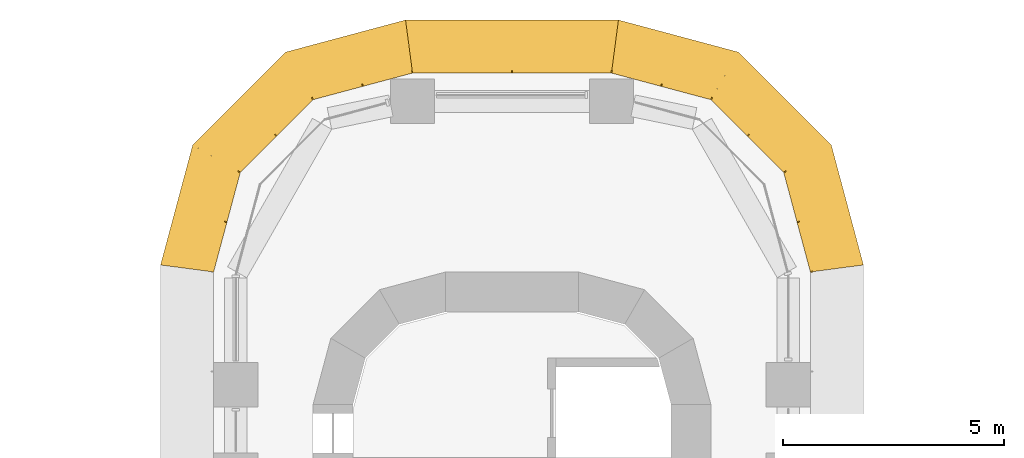
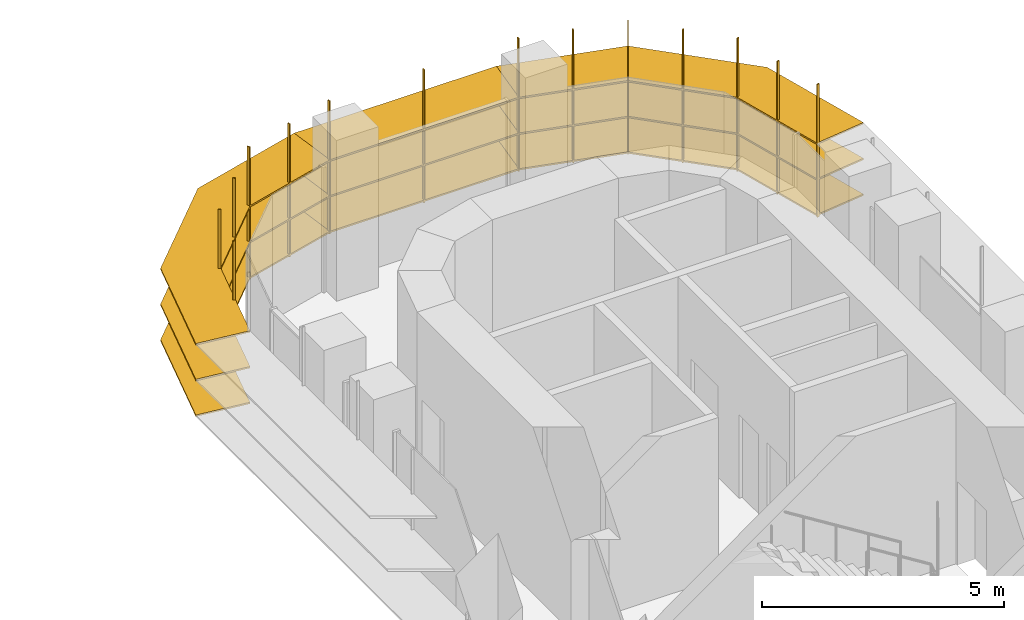
# One storey, part 23 of 23: 3 shading devices.
"""IFC4 building model written with IfcOpenShell, lengths in metres."""

from ifc_helpers import new_model, si_unit, direction, frame, origin, place, context, subcontext, project, spatial, polyline, outline, extrude, faceted_brep, source, transform, mapped, material, type_object, element, save


model = new_model("IFC4")

# Units and contexts
model_context = context("Model", 3, precision=1e-05, world=origin(), true_north=direction((0.0, 1.0)))
body_context = subcontext(model_context, "Body", "Model", "MODEL_VIEW")
ifc_project = project(units=[si_unit("LENGTHUNIT", "METRE"), si_unit("AREAUNIT", "SQUARE_METRE"), si_unit("VOLUMEUNIT", "CUBIC_METRE"), si_unit("PLANEANGLEUNIT", "RADIAN"), si_unit("MASSUNIT", "GRAM", prefix="KILO")], contexts=[model_context])

# Site, building, storey
site_placement = place(None, origin())
site = spatial("IfcSite", under=ifc_project, at=site_placement, CompositionType="ELEMENT")
building_placement = place(site_placement, origin())
building = spatial("IfcBuilding", under=site, at=building_placement, Name="Zarbagh Exchange Tower", CompositionType="ELEMENT")
storey_placement = place(building_placement, frame((0.0, 0.0, 69.0)))
storey = spatial("IfcBuildingStorey", under=building, at=storey_placement, Name="L15", CompositionType="ELEMENT", Elevation=69.0)

# Shading devices
ifc_material = material(Name="Anodised aluminium blades and brackets", Category="aluminium")
shading_device_type = type_object("IfcShadingDeviceType", Name="SUNSHADE louvre band, 0 degree blades", PredefinedType="JALOUSIE", material=ifc_material)
shared_shape_1 = source(origin(), body_context, "Body", "Brep", [
    faceted_brep([(0.0, 0.0, 0.0), (0.0, 0.0, -0.0400390625), (-0.157958984375, -1.199951171875, -0.0400390625), (-0.157958984375, -1.199951171875, 0.0), (2.65087890625, -1.199951171875, 0.0), (2.65087890625, -1.199951171875, -0.0400390625), (2.329345703125, 0.0, -0.0400390625), (2.329345703125, 0.0, 0.0)], [[[0, 1, 2, 3]], [[4, 5, 6, 7]], [[0, 7, 6, 1]], [[1, 6, 5, 2]], [[2, 5, 4, 3]], [[3, 4, 7, 0]]]),
])
shared_shape_2 = source(origin(), body_context, "Body", "Brep", [
    faceted_brep([(0.0, 0.0, 0.0), (0.0, 0.0, -0.0400390625), (-0.321533203125, -1.199951171875, -0.0400390625), (-0.321533203125, -1.199951171875, 0.0), (2.65087890625, -1.199951171875, 0.0), (2.65087890625, -1.199951171875, -0.0400390625), (2.329345703125, 0.0, -0.0400390625), (2.329345703125, 0.0, 0.0)], [[[0, 1, 2, 3]], [[4, 5, 6, 7]], [[0, 7, 6, 1]], [[1, 6, 5, 2]], [[2, 5, 4, 3]], [[3, 4, 7, 0]]]),
])
shared_shape_3 = source(origin(), body_context, "Body", "Brep", [
    faceted_brep([(0.0, 0.0, 0.0), (0.0, 0.0, -0.0400390625), (-0.321533203125, -1.199951171875, -0.0400390625), (-0.321533203125, -1.199951171875, 0.0), (2.4873046875, -1.199951171875, 0.0), (2.4873046875, -1.199951171875, -0.0400390625), (2.329345703125, 0.0, -0.0400390625), (2.329345703125, 0.0, 0.0)], [[[0, 1, 2, 3]], [[4, 5, 6, 7]], [[0, 7, 6, 1]], [[1, 6, 5, 2]], [[2, 5, 4, 3]], [[3, 4, 7, 0]]]),
])
shared_shape_4 = source(origin(), body_context, "Body", "SweptSolid", [
    extrude(outline(polyline([(0.0, -0.012451171875), (0.06005859375, -0.012451171875), (0.06005859375, 0.012451171875), (0.0, 0.012451171875), (0.0, -0.012451171875)])), origin(), (0.0, 0.0, 1.0), 3.35009765625),
])
placement = place(storey_placement, origin())
element("IfcShadingDevice", 1, at=placement, inside=storey, type_object=shading_device_type, Name="SS11 sunshade band", PredefinedType="JALOUSIE", context=body_context, shape_type="MappedRepresentation", body=[
    mapped(shared_shape_1, transform((6.75, 29.25, 2.699951171875), x_axis=(-0.258824779902, 0.965924289636, 0.0), y_axis=(-0.965924289636, -0.258824779902, 0.0), z_axis=(0.0, 0.0, 1.0))),
    mapped(shared_shape_1, transform((6.75, 29.25, 1.800048828125), x_axis=(-0.258824779902, 0.965924289636, 0.0), y_axis=(-0.965924289636, -0.258824779902, 0.0), z_axis=(0.0, 0.0, 1.0))),
    mapped(shared_shape_1, transform((6.75, 29.25, 0.89990234375), x_axis=(-0.258824779902, 0.965924289636, 0.0), y_axis=(-0.965924289636, -0.258824779902, 0.0), z_axis=(0.0, 0.0, 1.0))),
    mapped(shared_shape_2, transform((6.147216796875, 31.5, 2.699951171875), x_axis=(-0.707106781187, 0.707106781187, 0.0), y_axis=(-0.707106781187, -0.707106781187, 0.0), z_axis=(0.0, 0.0, 1.0))),
    mapped(shared_shape_2, transform((6.147216796875, 31.5, 1.800048828125), x_axis=(-0.707106781187, 0.707106781187, 0.0), y_axis=(-0.707106781187, -0.707106781187, 0.0), z_axis=(0.0, 0.0, 1.0))),
    mapped(shared_shape_2, transform((6.147216796875, 31.5, 0.89990234375), x_axis=(-0.707106781187, 0.707106781187, 0.0), y_axis=(-0.707106781187, -0.707106781187, 0.0), z_axis=(0.0, 0.0, 1.0))),
    mapped(shared_shape_3, transform((4.5, 33.147216796875, 2.699951171875), x_axis=(-0.965924289636, 0.258824779902, 0.0), y_axis=(-0.258824779902, -0.965924289636, 0.0), z_axis=(0.0, 0.0, 1.0))),
    mapped(shared_shape_3, transform((4.5, 33.147216796875, 1.800048828125), x_axis=(-0.965924289636, 0.258824779902, 0.0), y_axis=(-0.258824779902, -0.965924289636, 0.0), z_axis=(0.0, 0.0, 1.0))),
    mapped(shared_shape_3, transform((4.5, 33.147216796875, 0.89990234375), x_axis=(-0.965924289636, 0.258824779902, 0.0), y_axis=(-0.258824779902, -0.965924289636, 0.0), z_axis=(0.0, 0.0, 1.0))),
    mapped(shared_shape_4, transform((6.75, 29.25, 0.830078125), x_axis=(0.991444457092, 0.130529263012, 0.0), y_axis=(-0.130529263012, 0.991444457092, 0.0), z_axis=(0.0, 0.0, 1.0))),
    mapped(shared_shape_4, transform((6.448486328125, 30.375, 0.830078125), x_axis=(0.96592421511, 0.258825058029, 0.0), y_axis=(-0.258825058029, 0.96592421511, 0.0), z_axis=(0.0, 0.0, 1.0))),
    mapped(shared_shape_4, transform((6.147216796875, 31.5, 0.830078125), x_axis=(0.866023812018, 0.50000275701, 0.0), y_axis=(-0.50000275701, 0.866023812018, 0.0), z_axis=(0.0, 0.0, 1.0))),
    mapped(shared_shape_4, transform((5.323486328125, 32.323486328125, 0.830078125), x_axis=(0.707106781187, 0.707106781187, 0.0), y_axis=(-0.707106781187, 0.707106781187, 0.0), z_axis=(0.0, 0.0, 1.0))),
    mapped(shared_shape_4, transform((4.5, 33.147216796875, 0.830078125), x_axis=(0.50000275701, 0.866023812018, 0.0), y_axis=(-0.866023812018, 0.50000275701, 0.0), z_axis=(0.0, 0.0, 1.0))),
    mapped(shared_shape_4, transform((3.375, 33.448486328125, 0.830078125), x_axis=(0.258825058029, 0.96592421511, 0.0), y_axis=(-0.96592421511, 0.258825058029, 0.0), z_axis=(0.0, 0.0, 1.0))),
])
element("IfcShadingDevice", 2, at=placement, inside=storey, type_object=shading_device_type, Name="SS13 sunshade band", PredefinedType="JALOUSIE", context=body_context, shape_type="MappedRepresentation", body=[
    mapped(shared_shape_1, transform((-2.25, 33.75, 2.699951171875), x_axis=(-0.965924289636, -0.258824779902, 0.0), y_axis=(0.258824779902, -0.965924289636, 0.0), z_axis=(0.0, 0.0, 1.0))),
    mapped(shared_shape_1, transform((-2.25, 33.75, 1.800048828125), x_axis=(-0.965924289636, -0.258824779902, 0.0), y_axis=(0.258824779902, -0.965924289636, 0.0), z_axis=(0.0, 0.0, 1.0))),
    mapped(shared_shape_1, transform((-2.25, 33.75, 0.89990234375), x_axis=(-0.965924289636, -0.258824779902, 0.0), y_axis=(0.258824779902, -0.965924289636, 0.0), z_axis=(0.0, 0.0, 1.0))),
    mapped(shared_shape_2, transform((-4.5, 33.147216796875, 2.699951171875), x_axis=(-0.707106781187, -0.707106781187, 0.0), y_axis=(0.707106781187, -0.707106781187, 0.0), z_axis=(0.0, 0.0, 1.0))),
    mapped(shared_shape_2, transform((-4.5, 33.147216796875, 1.800048828125), x_axis=(-0.707106781187, -0.707106781187, 0.0), y_axis=(0.707106781187, -0.707106781187, 0.0), z_axis=(0.0, 0.0, 1.0))),
    mapped(shared_shape_2, transform((-4.5, 33.147216796875, 0.89990234375), x_axis=(-0.707106781187, -0.707106781187, 0.0), y_axis=(0.707106781187, -0.707106781187, 0.0), z_axis=(0.0, 0.0, 1.0))),
    mapped(shared_shape_3, transform((-6.147216796875, 31.5, 2.699951171875), x_axis=(-0.258824779902, -0.965924289636, 0.0), y_axis=(0.965924289636, -0.258824779902, 0.0), z_axis=(0.0, 0.0, 1.0))),
    mapped(shared_shape_3, transform((-6.147216796875, 31.5, 1.800048828125), x_axis=(-0.258824779902, -0.965924289636, 0.0), y_axis=(0.965924289636, -0.258824779902, 0.0), z_axis=(0.0, 0.0, 1.0))),
    mapped(shared_shape_3, transform((-6.147216796875, 31.5, 0.89990234375), x_axis=(-0.258824779902, -0.965924289636, 0.0), y_axis=(0.965924289636, -0.258824779902, 0.0), z_axis=(0.0, 0.0, 1.0))),
    mapped(shared_shape_4, transform((-2.25, 33.75, 0.830078125), x_axis=(-0.130529263012, 0.991444457092, 0.0), y_axis=(-0.991444457092, -0.130529263012, 0.0), z_axis=(0.0, 0.0, 1.0))),
    mapped(shared_shape_4, transform((-3.375, 33.448486328125, 0.830078125), x_axis=(-0.258825058029, 0.96592421511, 0.0), y_axis=(-0.96592421511, -0.258825058029, 0.0), z_axis=(0.0, 0.0, 1.0))),
    mapped(shared_shape_4, transform((-4.5, 33.147216796875, 0.830078125), x_axis=(-0.50000275701, 0.866023812018, 0.0), y_axis=(-0.866023812018, -0.50000275701, 0.0), z_axis=(0.0, 0.0, 1.0))),
    mapped(shared_shape_4, transform((-5.323486328125, 32.323486328125, 0.830078125), x_axis=(-0.707106781187, 0.707106781187, 0.0), y_axis=(-0.707106781187, -0.707106781187, 0.0), z_axis=(0.0, 0.0, 1.0))),
    mapped(shared_shape_4, transform((-6.147216796875, 31.5, 0.830078125), x_axis=(-0.866023812018, 0.50000275701, 0.0), y_axis=(-0.50000275701, -0.866023812018, 0.0), z_axis=(0.0, 0.0, 1.0))),
    mapped(shared_shape_4, transform((-6.448486328125, 30.375, 0.830078125), x_axis=(-0.96592421511, 0.258825058029, 0.0), y_axis=(-0.258825058029, -0.96592421511, 0.0), z_axis=(0.0, 0.0, 1.0))),
])
shared_shape_5 = source(origin(), body_context, "Body", "Brep", [
    faceted_brep([(0.0, 0.0, 0.0), (0.0, 0.0, -0.0400390625), (-0.157958984375, -1.199951171875, -0.0400390625), (-0.157958984375, -1.199951171875, 0.0), (4.657958984375, -1.199951171875, 0.0), (4.657958984375, -1.199951171875, -0.0400390625), (4.5, 0.0, -0.0400390625), (4.5, 0.0, 0.0)], [[[0, 1, 2, 3]], [[4, 5, 6, 7]], [[0, 7, 6, 1]], [[1, 6, 5, 2]], [[2, 5, 4, 3]], [[3, 4, 7, 0]]]),
])
element("IfcShadingDevice", 3, at=placement, inside=storey, type_object=shading_device_type, Name="SS12 sunshade band", PredefinedType="JALOUSIE", context=body_context, shape_type="MappedRepresentation", body=[
    mapped(shared_shape_5, transform((2.25, 33.75, 2.699951171875), x_axis=(-1.0, 0.0, 0.0), y_axis=(0.0, -1.0, 0.0), z_axis=(0.0, 0.0, 1.0))),
    mapped(shared_shape_5, transform((2.25, 33.75, 1.800048828125), x_axis=(-1.0, 0.0, 0.0), y_axis=(0.0, -1.0, 0.0), z_axis=(0.0, 0.0, 1.0))),
    mapped(shared_shape_5, transform((2.25, 33.75, 0.89990234375), x_axis=(-1.0, 0.0, 0.0), y_axis=(0.0, -1.0, 0.0), z_axis=(0.0, 0.0, 1.0))),
    mapped(shared_shape_4, transform((2.25, 33.75, 0.830078125), x_axis=(0.130529263012, 0.991444457092, 0.0), y_axis=(-0.991444457092, 0.130529263012, 0.0), z_axis=(0.0, 0.0, 1.0))),
    mapped(shared_shape_4, transform((0.0, 33.75, 0.830078125), x_axis=(0.0, 1.0, 0.0), y_axis=(-1.0, 0.0, 0.0), z_axis=(0.0, 0.0, 1.0))),
])

save(model, "model.ifc")
